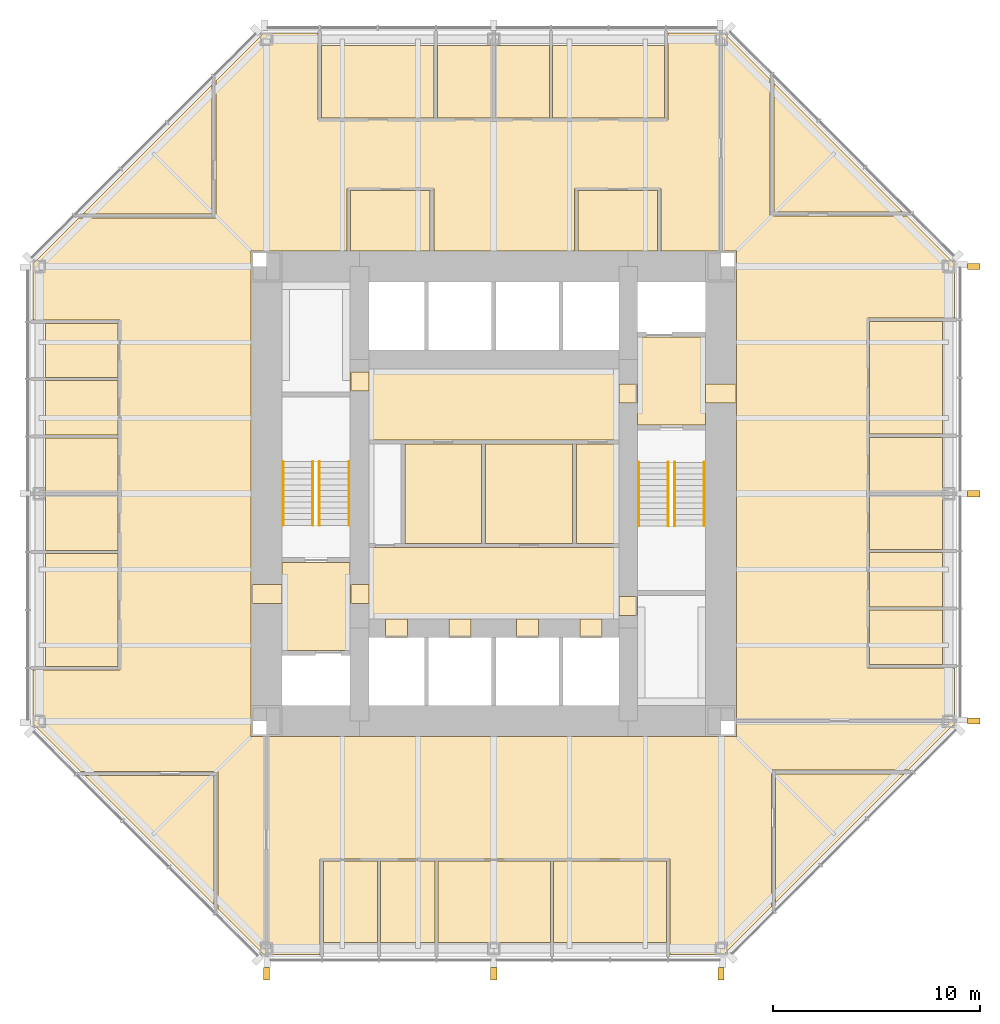
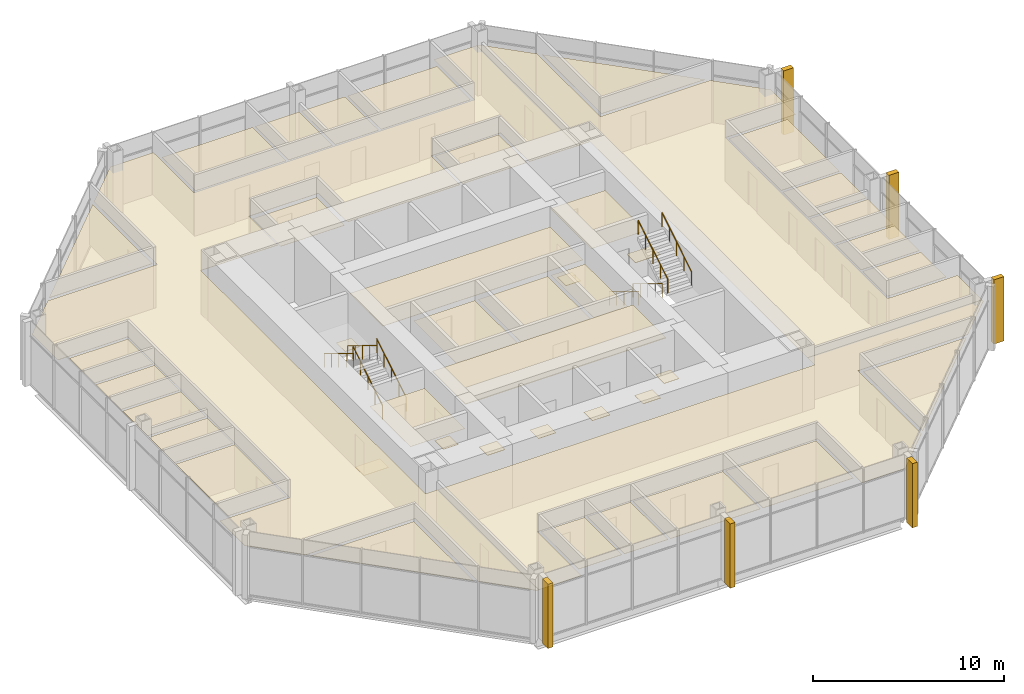
# One storey, part 12 of 12: 50 coverings, 8 railings.
"""IFC4 building model written with IfcOpenShell, lengths in metres."""

import ifcopenshell
import ifcopenshell.guid

model = None  # the IFC model being written
_history = None  # IfcOwnerHistory: only IFC2X3 demands one
_inside = {}  # id of a spatial element -> (the spatial element, [elements in it])
_under = {}  # id of a project, library or spatial element -> (it, [spatial elements below it])
_declared = {}  # id of a project -> (the project, [libraries it declares])
_typed = {}  # id of a type object -> (the type object, [elements of that type])
_made_of = {}  # id of a material, layer set ... -> (it, [elements and type objects made of it])


def new_model(schema):
    """Start an empty IFC model of exactly this schema.

    Asked for "IFC4X3", IfcOpenShell would pick the latest addendum, in which some entities
    have other attributes; the version numbers below select the first issue.
    IFC2X3 requires an IfcOwnerHistory on every rooted entity: one is made here for all.
    """
    global model, _history
    if schema == "IFC4X3":
        model = ifcopenshell.file(schema_version=(4, 3, 0, 0))
    else:
        model = ifcopenshell.file(schema=schema)
    _inside.clear()
    _under.clear()
    _declared.clear()
    _typed.clear()
    _made_of.clear()
    _history = None
    if model.schema == "IFC2X3":
        org = make("IfcOrganization", Name="unknown")
        user = make(
            "IfcPersonAndOrganization",
            ThePerson=make("IfcPerson", FamilyName="unknown"),
            TheOrganization=org,
        )
        app = make(
            "IfcApplication",
            ApplicationDeveloper=org,
            Version="unknown",
            ApplicationFullName="unknown",
            ApplicationIdentifier="unknown",
        )
        _history = make(
            "IfcOwnerHistory",
            OwningUser=user,
            OwningApplication=app,
            ChangeAction="ADDED",
            CreationDate=0,
        )
    return model


def make(cls, **values):
    """One entity of the class cls with the attributes given. An attribute that is None is left unset."""
    return model.create_entity(
        cls, **{name: value for name, value in values.items() if value is not None}
    )


def rooted(cls, **values):
    """An entity with a GlobalId (a new one), such as an element, a storey or a relation."""
    return make(cls, GlobalId=ifcopenshell.guid.new(), OwnerHistory=_history, **values)


def si_unit(unit_type, name, prefix=None):
    """IfcSIUnit, for example si_unit("LENGTHUNIT", "METRE", prefix="MILLI")."""
    return make("IfcSIUnit", UnitType=unit_type, Prefix=prefix, Name=name)


def assignment(units):
    """IfcUnitAssignment: the units of a project."""
    return None if units is None else make("IfcUnitAssignment", Units=units)


def point(xyz):
    """IfcCartesianPoint."""
    return None if xyz is None else make("IfcCartesianPoint", Coordinates=xyz)


def direction(xyz):
    """IfcDirection."""
    return None if xyz is None else make("IfcDirection", DirectionRatios=xyz)


def frame(location, z_axis=None, x_axis=None):
    """IfcAxis2Placement3D, a coordinate frame: its origin and axes. An axis left out is left unset."""
    return make(
        "IfcAxis2Placement3D",
        Location=point(location),
        Axis=direction(z_axis),
        RefDirection=direction(x_axis),
    )


def frame_2d(location, x_axis=None):
    """IfcAxis2Placement2D, a coordinate frame in the plane: its origin and x axis."""
    return make(
        "IfcAxis2Placement2D", Location=point(location), RefDirection=direction(x_axis)
    )


def origin():
    """The frame at (0, 0, 0) with its axes left unset."""
    return frame((0.0, 0.0, 0.0))


def origin_2d():
    """The frame at (0, 0) in the plane with its x axis left unset."""
    return frame_2d((0.0, 0.0))


def place(relative_to, where):
    """IfcLocalPlacement: puts the frame where relative to a parent placement (None: the world)."""
    return make(
        "IfcLocalPlacement", PlacementRelTo=relative_to, RelativePlacement=where
    )


def context(
    kind, dimensions, precision=None, world=None, true_north=None, identifier=None
):
    """IfcGeometricRepresentationContext, for example the 3D "Model" context."""
    return make(
        "IfcGeometricRepresentationContext",
        ContextIdentifier=identifier,
        ContextType=kind,
        CoordinateSpaceDimension=dimensions,
        Precision=precision,
        WorldCoordinateSystem=world,
        TrueNorth=true_north,
    )


def subcontext(parent, identifier, kind, view, scale=None):
    """IfcGeometricRepresentationSubContext, for example "Body" below "Model"."""
    return make(
        "IfcGeometricRepresentationSubContext",
        ContextIdentifier=identifier,
        ContextType=kind,
        ParentContext=parent,
        TargetScale=scale,
        TargetView=view,
    )


def project(units=None, contexts=None):
    """IfcProject with its units and contexts."""
    return rooted(
        "IfcProject",
        Name="project",
        RepresentationContexts=contexts,
        UnitsInContext=assignment(units),
    )


def spatial(cls, under=None, at=None, **own):
    """A site, building, storey or space (cls), placed at a placement, below another one or the project."""
    s = rooted(cls, ObjectPlacement=at, **own)
    if under is not None:
        _under.setdefault(under.id(), (under, []))[1].append(s)
    return s


def polyline(points):
    """IfcPolyline through the points."""
    return make("IfcPolyline", Points=[point(p) for p in points])


def profile(cls, at=None, kind="AREA", **sizes):
    """A parametric profile (cls). Its sizes go by their IFC names, for example OverallWidth=200.0."""
    return make(cls, ProfileType=kind, Position=at, **sizes)


def rectangle(**sizes):
    """IfcRectangleProfileDef."""
    return profile("IfcRectangleProfileDef", **sizes)


def circle(**sizes):
    """IfcCircleProfileDef."""
    return profile("IfcCircleProfileDef", **sizes)


def outline(outer, holes=None, kind="AREA"):
    """IfcArbitraryClosedProfileDef: a profile drawn as a closed curve; with holes, ...WithVoids."""
    if holes is None:
        return make("IfcArbitraryClosedProfileDef", ProfileType=kind, OuterCurve=outer)
    return make(
        "IfcArbitraryProfileDefWithVoids",
        ProfileType=kind,
        OuterCurve=outer,
        InnerCurves=holes,
    )


def extrude(swept, where, along, depth):
    """IfcExtrudedAreaSolid: the profile swept, set in the frame where, extruded along a direction by depth."""
    return make(
        "IfcExtrudedAreaSolid",
        SweptArea=swept,
        Position=where,
        ExtrudedDirection=direction(along),
        Depth=depth,
    )


def shape(context_of_items, identifier, shape_type, items):
    """IfcShapeRepresentation: the items that make up one representation, for example the "Body"."""
    return make(
        "IfcShapeRepresentation",
        ContextOfItems=context_of_items,
        RepresentationIdentifier=identifier,
        RepresentationType=shape_type,
        Items=items,
    )


def material(Name=None, Category=None):
    """IfcMaterial."""
    return make("IfcMaterial", Name=Name, Category=Category)


def layer(
    of_material, thickness, ventilated=None, Name=None, Category=None, Priority=None
):
    """IfcMaterialLayer: one layer of a wall or slab, of a material (None: an air gap)."""
    return make(
        "IfcMaterialLayer",
        Material=of_material,
        LayerThickness=thickness,
        IsVentilated=ventilated,
        Name=Name,
        Category=Category,
        Priority=Priority,
    )


def layer_set(layers, Name=None):
    """IfcMaterialLayerSet."""
    return make("IfcMaterialLayerSet", MaterialLayers=layers, LayerSetName=Name)


def made_of(thing, what):
    """Note that an element or type object is made of a material, layer set ...; save() writes the relation."""
    if what is not None:
        _made_of.setdefault(what.id(), (what, []))[1].append(thing)
    return thing


def type_object(cls, material=None, **own):
    """A type object (cls), such as IfcWallType, which elements share."""
    return made_of(rooted(cls, **own), material)


def element(
    cls,
    number,
    at=None,
    inside=None,
    cuts=None,
    type_object=None,
    material=None,
    context=None,
    identifier="Body",
    shape_type=None,
    held_by="IfcProductDefinitionShape",
    body=None,
    shapes=None,
    **own,
):
    """One element of the class cls, such as IfcWall. Its Tag is "e" and its number.

    at: its placement. inside: the storey or other place that contains it. cuts: it is an
    opening in that element (IfcRelVoidsElement). A single representation is given by context,
    identifier, shape_type and body (its items); several are given by shapes. held_by: the class
    of the entity that holds the representations. save() writes the other relations.
    """
    e = rooted(cls, Tag="e%d" % number, ObjectPlacement=at, **own)
    if body is not None:
        shapes = [shape(context, identifier, shape_type, body)]
    if shapes is not None:
        e.Representation = make(held_by, Representations=shapes)
    if inside is not None:
        _inside.setdefault(inside.id(), (inside, []))[1].append(e)
    if cuts is not None:
        rooted(
            "IfcRelVoidsElement", RelatingBuildingElement=cuts, RelatedOpeningElement=e
        )
    if type_object is not None:
        _typed.setdefault(type_object.id(), (type_object, []))[1].append(e)
    return made_of(e, material)


def aggregate(whole, parts):
    """IfcRelAggregates: a whole, such as a stair, and the parts it consists of."""
    return rooted("IfcRelAggregates", RelatingObject=whole, RelatedObjects=parts)


def save(model, path):
    """Write the relations noted so far, then the file.

    IfcRelAggregates (storeys below a building ...), IfcRelContainedInSpatialStructure (elements
    in a storey), IfcRelDefinesByType, IfcRelAssociatesMaterial and IfcRelDeclares: one each for
    every whole, place, type object, material and project.
    """
    for whole, parts in _under.values():
        aggregate(whole, parts)
    for where, things in _inside.values():
        rooted(
            "IfcRelContainedInSpatialStructure",
            RelatedElements=things,
            RelatingStructure=where,
        )
    for kind, things in _typed.values():
        rooted("IfcRelDefinesByType", RelatedObjects=things, RelatingType=kind)
    for what, things in _made_of.values():
        rooted("IfcRelAssociatesMaterial", RelatedObjects=things, RelatingMaterial=what)
    for by, libraries in _declared.values():
        rooted("IfcRelDeclares", RelatingContext=by, RelatedDefinitions=libraries)
    model.write(path)


model = new_model("IFC4")

# Units and contexts
model_context = context("Model", 3, precision=1e-05, world=origin(), true_north=direction((0.0, 1.0)))
body_context = subcontext(model_context, "Body", "Model", "MODEL_VIEW")
ifc_project = project(units=[si_unit("LENGTHUNIT", "METRE"), si_unit("AREAUNIT", "SQUARE_METRE"), si_unit("VOLUMEUNIT", "CUBIC_METRE"), si_unit("PLANEANGLEUNIT", "RADIAN"), si_unit("MASSUNIT", "GRAM", prefix="KILO")], contexts=[model_context])

# Site, building, storey
site_placement = place(None, origin())
site = spatial("IfcSite", under=ifc_project, at=site_placement, CompositionType="ELEMENT")
building_placement = place(site_placement, origin())
building = spatial("IfcBuilding", under=site, at=building_placement, Name="Trevanion Tower", CompositionType="ELEMENT")
storey_placement = place(building_placement, frame((0.0, 0.0, 170.5)))
storey = spatial("IfcBuildingStorey", under=building, at=storey_placement, Name="L40", CompositionType="ELEMENT", Elevation=170.5)

# Coverings
ifc_material_1 = material(Name="Fibrous plaster coffers on suspended steel grid", Category="steel")
ifc_layer_1 = layer(ifc_material_1, 0.050048828125)
ifc_layer_set_1 = layer_set([ifc_layer_1], Name="CL1 coffered fibrous plaster ceiling 50")
covering_type_1 = type_object("IfcCoveringType", Name="CL1 coffered fibrous plaster ceiling 50", PredefinedType="CEILING", material=ifc_layer_set_1)
covering_1_placement = place(storey_placement, frame((0.0, 0.0, 3.0)))
element("IfcCovering", 1, at=covering_1_placement, inside=storey, type_object=covering_type_1, Name="CL1 L40-LBS", PredefinedType="CEILING", context=body_context, shape_type="SweptSolid", body=[
    extrude(outline(polyline([(6.050048828125, -6.050048828125), (6.050048828125, -2.60009765625), (-6.050048828125, -2.60009765625), (-6.050048828125, -6.050048828125), (6.050048828125, -6.050048828125)])), origin(), (0.0, 0.0, 1.0), 0.050048828125),
])
ifc_material_2 = material(Name="Mineral fibre acoustic tiles in exposed grid", Category="mineral fibre")
ifc_layer_2 = layer(ifc_material_2, 0.02001953125)
ifc_layer_set_2 = layer_set([ifc_layer_2], Name="CL2 acoustic tile ceiling 20")
covering_type_2 = type_object("IfcCoveringType", Name="CL2 acoustic tile ceiling 20", PredefinedType="CEILING", material=ifc_layer_set_2)
covering_2_placement = place(storey_placement, frame((0.0, 0.0, 2.75)))
element("IfcCovering", 2, at=covering_2_placement, inside=storey, type_object=covering_type_2, Name="CL2 L40-LBN", PredefinedType="CEILING", context=body_context, shape_type="SweptSolid", body=[
    extrude(outline(polyline([(6.050048828125, 2.60009765625), (6.050048828125, 6.050048828125), (-6.050048828125, 6.050048828125), (-6.050048828125, 2.60009765625), (6.050048828125, 2.60009765625)])), origin(), (0.0, 0.0, 1.0), 0.02001953125),
])
covering_3_placement = place(storey_placement, frame((0.0, 0.0, 2.75)))
element("IfcCovering", 3, at=covering_3_placement, inside=storey, type_object=covering_type_2, Name="CL2 L40-OF", PredefinedType="CEILING", context=body_context, shape_type="SweptSolid", body=[
    extrude(outline(polyline([(13.549072265625, 19.875244140625), (19.783203125, 13.64111328125), (13.549072265625, 13.64111328125), (13.549072265625, 19.875244140625)])), origin(), (0.0, 0.0, 1.0), 0.02001953125),
])
covering_4_placement = place(storey_placement, frame((0.0, 0.0, 2.75)))
element("IfcCovering", 4, at=covering_4_placement, inside=storey, type_object=covering_type_2, Name="CL2 L40-MR", PredefinedType="CEILING", context=body_context, shape_type="SweptSolid", body=[
    extrude(outline(polyline([(-19.875244140625, 13.549072265625), (-13.64111328125, 19.783203125), (-13.64111328125, 13.549072265625), (-19.875244140625, 13.549072265625)])), origin(), (0.0, 0.0, 1.0), 0.02001953125),
])
covering_5_placement = place(storey_placement, frame((0.0, 0.0, 2.75)))
element("IfcCovering", 5, at=covering_5_placement, inside=storey, type_object=covering_type_2, Name="CL2 L40-OF2", PredefinedType="CEILING", context=body_context, shape_type="SweptSolid", body=[
    extrude(outline(polyline([(-13.549072265625, -19.875244140625), (-19.783203125, -13.64111328125), (-13.549072265625, -13.64111328125), (-13.549072265625, -19.875244140625)])), origin(), (0.0, 0.0, 1.0), 0.02001953125),
])
covering_6_placement = place(storey_placement, frame((0.0, 0.0, 2.75)))
element("IfcCovering", 6, at=covering_6_placement, inside=storey, type_object=covering_type_2, Name="CL2 L40-MR2", PredefinedType="CEILING", context=body_context, shape_type="SweptSolid", body=[
    extrude(outline(polyline([(19.875244140625, -13.549072265625), (13.64111328125, -19.783203125), (13.64111328125, -13.549072265625), (19.875244140625, -13.549072265625)])), origin(), (0.0, 0.0, 1.0), 0.02001953125),
])
covering_7_placement = place(storey_placement, frame((0.0, 0.0, 2.75)))
element("IfcCovering", 7, at=covering_7_placement, inside=storey, type_object=covering_type_2, Name="CL2 L40-OF3", PredefinedType="CEILING", context=body_context, shape_type="SweptSolid", body=[
    extrude(outline(polyline([(18.175048828125, -8.248046875), (18.175048828125, -5.6240234375), (21.699951171875, -5.6240234375), (21.699951171875, -8.248046875), (18.175048828125, -8.248046875)])), origin(), (0.0, 0.0, 1.0), 0.02001953125),
])
covering_8_placement = place(storey_placement, frame((0.0, 0.0, 2.75)))
element("IfcCovering", 8, at=covering_8_placement, inside=storey, type_object=covering_type_2, Name="CL2 L40-OF4", PredefinedType="CEILING", context=body_context, shape_type="SweptSolid", body=[
    extrude(outline(polyline([(18.175048828125, -5.47412109375), (18.175048828125, -2.85009765625), (21.699951171875, -2.85009765625), (21.699951171875, -5.47412109375), (18.175048828125, -5.47412109375)])), origin(), (0.0, 0.0, 1.0), 0.02001953125),
])
covering_9_placement = place(storey_placement, frame((0.0, 0.0, 2.75)))
element("IfcCovering", 9, at=covering_9_placement, inside=storey, type_object=covering_type_2, Name="CL2 L40-OF5", PredefinedType="CEILING", context=body_context, shape_type="SweptSolid", body=[
    extrude(outline(polyline([(18.175048828125, -2.699951171875), (18.175048828125, -0.074951171875), (21.699951171875, -0.074951171875), (21.699951171875, -2.699951171875), (18.175048828125, -2.699951171875)])), origin(), (0.0, 0.0, 1.0), 0.02001953125),
])
covering_10_placement = place(storey_placement, frame((0.0, 0.0, 2.75)))
element("IfcCovering", 10, at=covering_10_placement, inside=storey, type_object=covering_type_2, Name="CL2 L40-OF6", PredefinedType="CEILING", context=body_context, shape_type="SweptSolid", body=[
    extrude(outline(polyline([(18.175048828125, 0.074951171875), (18.175048828125, 2.73193359375), (21.699951171875, 2.73193359375), (21.699951171875, 0.074951171875), (18.175048828125, 0.074951171875)])), origin(), (0.0, 0.0, 1.0), 0.02001953125),
])
covering_11_placement = place(storey_placement, frame((0.0, 0.0, 2.75)))
element("IfcCovering", 11, at=covering_11_placement, inside=storey, type_object=covering_type_2, Name="CL2 L40-MR3", PredefinedType="CEILING", context=body_context, shape_type="SweptSolid", body=[
    extrude(outline(polyline([(18.175048828125, 2.882080078125), (18.175048828125, 8.345947265625), (21.699951171875, 8.345947265625), (21.699951171875, 2.882080078125), (18.175048828125, 2.882080078125)])), origin(), (0.0, 0.0, 1.0), 0.02001953125),
])
covering_12_placement = place(storey_placement, frame((0.0, 0.0, 2.75)))
element("IfcCovering", 12, at=covering_12_placement, inside=storey, type_object=covering_type_2, Name="CL2 L40-MR4", PredefinedType="CEILING", context=body_context, shape_type="SweptSolid", body=[
    extrude(outline(polyline([(8.248046875, 18.175048828125), (2.85009765625, 18.175048828125), (2.85009765625, 21.699951171875), (8.248046875, 21.699951171875), (8.248046875, 18.175048828125)])), origin(), (0.0, 0.0, 1.0), 0.02001953125),
])
covering_13_placement = place(storey_placement, frame((0.0, 0.0, 2.75)))
element("IfcCovering", 13, at=covering_13_placement, inside=storey, type_object=covering_type_2, Name="CL2 L40-OF7", PredefinedType="CEILING", context=body_context, shape_type="SweptSolid", body=[
    extrude(outline(polyline([(2.699951171875, 18.175048828125), (0.074951171875, 18.175048828125), (0.074951171875, 21.699951171875), (2.699951171875, 21.699951171875), (2.699951171875, 18.175048828125)])), origin(), (0.0, 0.0, 1.0), 0.02001953125),
])
covering_14_placement = place(storey_placement, frame((0.0, 0.0, 2.75)))
element("IfcCovering", 14, at=covering_14_placement, inside=storey, type_object=covering_type_2, Name="CL2 L40-OF8", PredefinedType="CEILING", context=body_context, shape_type="SweptSolid", body=[
    extrude(outline(polyline([(-0.074951171875, 18.175048828125), (-2.73193359375, 18.175048828125), (-2.73193359375, 21.699951171875), (-0.074951171875, 21.699951171875), (-0.074951171875, 18.175048828125)])), origin(), (0.0, 0.0, 1.0), 0.02001953125),
])
covering_15_placement = place(storey_placement, frame((0.0, 0.0, 2.75)))
element("IfcCovering", 15, at=covering_15_placement, inside=storey, type_object=covering_type_2, Name="CL2 L40-MR5", PredefinedType="CEILING", context=body_context, shape_type="SweptSolid", body=[
    extrude(outline(polyline([(-2.882080078125, 18.175048828125), (-8.345947265625, 18.175048828125), (-8.345947265625, 21.699951171875), (-2.882080078125, 21.699951171875), (-2.882080078125, 18.175048828125)])), origin(), (0.0, 0.0, 1.0), 0.02001953125),
])
covering_16_placement = place(storey_placement, frame((0.0, 0.0, 2.75)))
element("IfcCovering", 16, at=covering_16_placement, inside=storey, type_object=covering_type_2, Name="CL2 L40-OF9", PredefinedType="CEILING", context=body_context, shape_type="SweptSolid", body=[
    extrude(outline(polyline([(-18.175048828125, 8.248046875), (-18.175048828125, 5.6240234375), (-21.699951171875, 5.6240234375), (-21.699951171875, 8.248046875), (-18.175048828125, 8.248046875)])), origin(), (0.0, 0.0, 1.0), 0.02001953125),
])
covering_17_placement = place(storey_placement, frame((0.0, 0.0, 2.75)))
element("IfcCovering", 17, at=covering_17_placement, inside=storey, type_object=covering_type_2, Name="CL2 L40-OF10", PredefinedType="CEILING", context=body_context, shape_type="SweptSolid", body=[
    extrude(outline(polyline([(-18.175048828125, 5.47412109375), (-18.175048828125, 2.85009765625), (-21.699951171875, 2.85009765625), (-21.699951171875, 5.47412109375), (-18.175048828125, 5.47412109375)])), origin(), (0.0, 0.0, 1.0), 0.02001953125),
])
covering_18_placement = place(storey_placement, frame((0.0, 0.0, 2.75)))
element("IfcCovering", 18, at=covering_18_placement, inside=storey, type_object=covering_type_2, Name="CL2 L40-OF11", PredefinedType="CEILING", context=body_context, shape_type="SweptSolid", body=[
    extrude(outline(polyline([(-18.175048828125, 2.699951171875), (-18.175048828125, 0.074951171875), (-21.699951171875, 0.074951171875), (-21.699951171875, 2.699951171875), (-18.175048828125, 2.699951171875)])), origin(), (0.0, 0.0, 1.0), 0.02001953125),
])
covering_19_placement = place(storey_placement, frame((0.0, 0.0, 2.75)))
element("IfcCovering", 19, at=covering_19_placement, inside=storey, type_object=covering_type_2, Name="CL2 L40-OF12", PredefinedType="CEILING", context=body_context, shape_type="SweptSolid", body=[
    extrude(outline(polyline([(-18.175048828125, -0.074951171875), (-18.175048828125, -2.73193359375), (-21.699951171875, -2.73193359375), (-21.699951171875, -0.074951171875), (-18.175048828125, -0.074951171875)])), origin(), (0.0, 0.0, 1.0), 0.02001953125),
])
covering_20_placement = place(storey_placement, frame((0.0, 0.0, 2.75)))
element("IfcCovering", 20, at=covering_20_placement, inside=storey, type_object=covering_type_2, Name="CL2 L40-MR6", PredefinedType="CEILING", context=body_context, shape_type="SweptSolid", body=[
    extrude(outline(polyline([(-18.175048828125, -2.882080078125), (-18.175048828125, -8.345947265625), (-21.699951171875, -8.345947265625), (-21.699951171875, -2.882080078125), (-18.175048828125, -2.882080078125)])), origin(), (0.0, 0.0, 1.0), 0.02001953125),
])
covering_21_placement = place(storey_placement, frame((0.0, 0.0, 2.75)))
element("IfcCovering", 21, at=covering_21_placement, inside=storey, type_object=covering_type_2, Name="CL2 L40-OF13", PredefinedType="CEILING", context=body_context, shape_type="SweptSolid", body=[
    extrude(outline(polyline([(-8.248046875, -17.77490234375), (-5.6240234375, -17.77490234375), (-5.6240234375, -21.699951171875), (-8.248046875, -21.699951171875), (-8.248046875, -17.77490234375)])), origin(), (0.0, 0.0, 1.0), 0.02001953125),
])
covering_22_placement = place(storey_placement, frame((0.0, 0.0, 2.75)))
element("IfcCovering", 22, at=covering_22_placement, inside=storey, type_object=covering_type_2, Name="CL2 L40-OF14", PredefinedType="CEILING", context=body_context, shape_type="SweptSolid", body=[
    extrude(outline(polyline([(-5.47412109375, -17.77490234375), (-2.85009765625, -17.77490234375), (-2.85009765625, -21.699951171875), (-5.47412109375, -21.699951171875), (-5.47412109375, -17.77490234375)])), origin(), (0.0, 0.0, 1.0), 0.02001953125),
])
covering_23_placement = place(storey_placement, frame((0.0, 0.0, 2.75)))
element("IfcCovering", 23, at=covering_23_placement, inside=storey, type_object=covering_type_2, Name="CL2 L40-MR7", PredefinedType="CEILING", context=body_context, shape_type="SweptSolid", body=[
    extrude(outline(polyline([(-2.699951171875, -17.77490234375), (2.73193359375, -17.77490234375), (2.73193359375, -21.699951171875), (-2.699951171875, -21.699951171875), (-2.699951171875, -17.77490234375)])), origin(), (0.0, 0.0, 1.0), 0.02001953125),
])
covering_24_placement = place(storey_placement, frame((0.0, 0.0, 2.75)))
element("IfcCovering", 24, at=covering_24_placement, inside=storey, type_object=covering_type_2, Name="CL2 L40-MR8", PredefinedType="CEILING", context=body_context, shape_type="SweptSolid", body=[
    extrude(outline(polyline([(2.882080078125, -17.77490234375), (8.345947265625, -17.77490234375), (8.345947265625, -21.699951171875), (2.882080078125, -21.699951171875), (2.882080078125, -17.77490234375)])), origin(), (0.0, 0.0, 1.0), 0.02001953125),
])
covering_25_placement = place(storey_placement, frame((0.0, 0.0, 2.75)))
element("IfcCovering", 25, at=covering_25_placement, inside=storey, type_object=covering_type_2, Name="CL2 L40-RC", PredefinedType="CEILING", context=body_context, shape_type="SweptSolid", body=[
    extrude(outline(polyline([(4.074951171875, 14.675048828125), (7.925048828125, 14.675048828125), (7.925048828125, 11.75), (4.074951171875, 11.75), (4.074951171875, 14.675048828125)])), origin(), (0.0, 0.0, 1.0), 0.02001953125),
])
covering_26_placement = place(storey_placement, frame((0.0, 0.0, 2.75)))
element("IfcCovering", 26, at=covering_26_placement, inside=storey, type_object=covering_type_2, Name="CL2 L40-OP", PredefinedType="CEILING", context=body_context, shape_type="SweptSolid", body=[
    extrude(outline(polyline([(11.75, 11.75), (11.0, 11.75), (11.0, 22.300048828125), (11.124267578125, 22.300048828125), (13.35400390625, 20.0703125), (13.35400390625, 13.446044921875), (19.978271484375, 13.446044921875), (22.300048828125, 11.124267578125), (22.300048828125, 8.51611328125), (18.080078125, 8.51611328125), (18.080078125, -8.41796875), (22.300048828125, -8.41796875), (22.300048828125, -11.0), (11.75, -11.0), (11.75, 11.75)])), origin(), (0.0, 0.0, 1.0), 0.02001953125),
])
covering_27_placement = place(storey_placement, frame((0.0, 0.0, 2.75)))
element("IfcCovering", 27, at=covering_27_placement, inside=storey, type_object=covering_type_2, Name="CL2 L40-OP2", PredefinedType="CEILING", context=body_context, shape_type="SweptSolid", body=[
    extrude(outline(polyline([(-11.0, -11.75), (-11.0, -22.300048828125), (-11.124267578125, -22.300048828125), (-13.35400390625, -20.0703125), (-13.35400390625, -13.446044921875), (-19.978271484375, -13.446044921875), (-22.300048828125, -11.124267578125), (-22.300048828125, -8.51611328125), (-18.080078125, -8.51611328125), (-18.080078125, 8.41796875), (-22.300048828125, 8.41796875), (-22.300048828125, 11.124267578125), (-20.0703125, 13.35400390625), (-13.446044921875, 13.35400390625), (-13.446044921875, 19.978271484375), (-11.124267578125, 22.300048828125), (-8.51611328125, 22.300048828125), (-8.51611328125, 18.080078125), (8.41796875, 18.080078125), (8.41796875, 22.300048828125), (11.0, 22.300048828125), (11.0, 11.75), (8.094970703125, 11.75), (8.094970703125, 14.77001953125), (3.905029296875, 14.77001953125), (3.905029296875, 11.75), (-2.905029296875, 11.75), (-2.905029296875, 14.77001953125), (-7.094970703125, 14.77001953125), (-7.094970703125, 11.75), (-11.75, 11.75), (-11.75, -11.75), (-11.0, -11.75)])), origin(), (0.0, 0.0, 1.0), 0.02001953125),
])
covering_28_placement = place(storey_placement, frame((0.0, 0.0, 2.75)))
element("IfcCovering", 28, at=covering_28_placement, inside=storey, type_object=covering_type_2, Name="CL2 L40-OP3", PredefinedType="CEILING", context=body_context, shape_type="SweptSolid", body=[
    extrude(outline(polyline([(11.75, -11.75), (11.75, -11.0), (22.300048828125, -11.0), (22.300048828125, -11.124267578125), (20.0703125, -13.35400390625), (13.446044921875, -13.35400390625), (13.446044921875, -19.978271484375), (11.124267578125, -22.300048828125), (8.51611328125, -22.300048828125), (8.51611328125, -17.679931640625), (-8.41796875, -17.679931640625), (-8.41796875, -22.300048828125), (-11.0, -22.300048828125), (-11.0, -11.75), (11.75, -11.75)])), origin(), (0.0, 0.0, 1.0), 0.02001953125),
])
ifc_material_3 = material(Name="Gypsum plasterboard on suspended metal furring", Category="gypsum")
ifc_layer_3 = layer(ifc_material_3, 0.012939453125)
ifc_layer_set_3 = layer_set([ifc_layer_3], Name="CL3 plasterboard ceiling 13")
covering_type_3 = type_object("IfcCoveringType", Name="CL3 plasterboard ceiling 13", PredefinedType="CEILING", material=ifc_layer_set_3)
covering_29_placement = place(storey_placement, frame((0.0, 0.0, 2.699951171875)))
element("IfcCovering", 29, at=covering_29_placement, inside=storey, type_object=covering_type_3, Name="CL3 L40-FV1", PredefinedType="CEILING", context=body_context, shape_type="SweptSolid", body=[
    extrude(outline(polyline([(10.25, 3.324951171875), (10.25, 7.574951171875), (6.949951171875, 7.574951171875), (6.949951171875, 3.324951171875), (10.25, 3.324951171875)])), origin(), (0.0, 0.0, 1.0), 0.012939453125),
])
covering_30_placement = place(storey_placement, frame((0.0, 0.0, 2.699951171875)))
element("IfcCovering", 30, at=covering_30_placement, inside=storey, type_object=covering_type_3, Name="CL3 L40-FV2", PredefinedType="CEILING", context=body_context, shape_type="SweptSolid", body=[
    extrude(outline(polyline([(-10.25, -3.324951171875), (-10.25, -7.574951171875), (-6.949951171875, -7.574951171875), (-6.949951171875, -3.324951171875), (-10.25, -3.324951171875)])), origin(), (0.0, 0.0, 1.0), 0.012939453125),
])
ifc_material_4 = material(Name="Moisture-resistant gypsum board on suspended metal furring", Category="gypsum")
ifc_layer_4 = layer(ifc_material_4, 0.01611328125)
ifc_layer_set_4 = layer_set([ifc_layer_4], Name="CL4 moisture-resistant board ceiling 16")
covering_type_4 = type_object("IfcCoveringType", Name="CL4 moisture-resistant board ceiling 16", PredefinedType="CEILING", material=ifc_layer_set_4)
covering_31_placement = place(storey_placement, frame((0.0, 0.0, 2.60009765625)))
element("IfcCovering", 31, at=covering_31_placement, inside=storey, type_object=covering_type_4, Name="CL4 L40-WCM", PredefinedType="CEILING", context=body_context, shape_type="SweptSolid", body=[
    extrude(outline(polyline([(-0.60009765625, -2.39990234375), (-0.60009765625, 2.39990234375), (-4.300048828125, 2.39990234375), (-4.300048828125, -2.39990234375), (-0.60009765625, -2.39990234375)])), origin(), (0.0, 0.0, 1.0), 0.015869140625),
])
covering_32_placement = place(storey_placement, frame((0.0, 0.0, 2.60009765625)))
element("IfcCovering", 32, at=covering_32_placement, inside=storey, type_object=covering_type_4, Name="CL4 L40-WCF", PredefinedType="CEILING", context=body_context, shape_type="SweptSolid", body=[
    extrude(outline(polyline([(3.800048828125, -2.39990234375), (3.800048828125, 2.39990234375), (-0.39990234375, 2.39990234375), (-0.39990234375, -2.39990234375), (3.800048828125, -2.39990234375)])), origin(), (0.0, 0.0, 1.0), 0.015869140625),
])
covering_33_placement = place(storey_placement, frame((0.0, 0.0, 2.60009765625)))
element("IfcCovering", 33, at=covering_33_placement, inside=storey, type_object=covering_type_4, Name="CL4 L40-WCA", PredefinedType="CEILING", context=body_context, shape_type="SweptSolid", body=[
    extrude(outline(polyline([(6.050048828125, -2.39990234375), (6.050048828125, 2.39990234375), (4.0, 2.39990234375), (4.0, -2.39990234375), (6.050048828125, -2.39990234375)])), origin(), (0.0, 0.0, 1.0), 0.015869140625),
])
covering_34_placement = place(storey_placement, frame((0.0, 0.0, 2.60009765625)))
element("IfcCovering", 34, at=covering_34_placement, inside=storey, type_object=covering_type_4, Name="CL4 L40-PA", PredefinedType="CEILING", context=body_context, shape_type="SweptSolid", body=[
    extrude(outline(polyline([(-6.925048828125, 14.675048828125), (-3.074951171875, 14.675048828125), (-3.074951171875, 11.75), (-6.925048828125, 11.75), (-6.925048828125, 14.675048828125)])), origin(), (0.0, 0.0, 1.0), 0.015869140625),
])
ifc_material_5 = material(Name="Cast bronze fin on aluminium carrier", Category="aluminium")
covering_type_5 = type_object("IfcCoveringType", Name="F1 bronze fin", PredefinedType="CLADDING", material=ifc_material_5)
for number, where, z_axis, x_axis, name in (
    (35, (23.22509765625, -11.0, -0.18994140625), (0.0, 0.0, 1.0), (0.0, 1.0, 0.0), "F1 L40 east -11.0"),
    (36, (23.22509765625, 0.0, -0.18994140625), (0.0, 0.0, 1.0), (0.0, 1.0, 0.0), "F1 L40 east +0.0"),
    (37, (23.22509765625, 11.0, -0.18994140625), (0.0, 0.0, 1.0), (0.0, 1.0, 0.0), "F1 L40 east +11.0"),
    (38, (-11.0, -23.22509765625, -0.18994140625), (0.0, 0.0, 1.0), (1.0, 0.0, 0.0), "F1 L40 south -11.0"),
    (39, (0.0, -23.22509765625, -0.18994140625), (0.0, 0.0, 1.0), (1.0, 0.0, 0.0), "F1 L40 south +0.0"),
    (40, (11.0, -23.22509765625, -0.18994140625), (0.0, 0.0, 1.0), (1.0, 0.0, 0.0), "F1 L40 south +11.0"),
):
    element("IfcCovering", number, at=place(storey_placement, frame(where, z_axis=z_axis, x_axis=x_axis)), inside=storey, type_object=covering_type_5, Name=name, PredefinedType="CLADDING", context=body_context, shape_type="SweptSolid", body=[
        extrude(rectangle(XDim=0.300048828125, YDim=0.60009765625, at=origin_2d()), origin(), (0.0, 0.0, 1.0), 4.10009765625),
    ])
ifc_material_6 = material(Name="Terrazzo, brass divider strips", Category="stone")
ifc_layer_5 = layer(ifc_material_6, 0.02001953125)
ifc_layer_set_5 = layer_set([ifc_layer_5], Name="FF1 terrazzo flooring")
covering_type_6 = type_object("IfcCoveringType", Name="FF1 terrazzo flooring", PredefinedType="FLOORING", material=ifc_layer_set_5)
covering_35_placement = place(storey_placement, origin())
element("IfcCovering", 41, at=covering_35_placement, inside=storey, type_object=covering_type_6, Name="FF1 threshold 40-001", PredefinedType="FLOORING", context=body_context, shape_type="SweptSolid", body=[
    extrude(outline(polyline([(11.75, 4.392578125), (11.75, 5.3076171875), (10.25, 5.3076171875), (10.25, 4.392578125), (11.75, 4.392578125)])), origin(), (0.0, 0.0, 1.0), 0.02001953125),
])
covering_36_placement = place(storey_placement, origin())
element("IfcCovering", 42, at=covering_36_placement, inside=storey, type_object=covering_type_6, Name="FF1 threshold 40-002", PredefinedType="FLOORING", context=body_context, shape_type="SweptSolid", body=[
    extrude(outline(polyline([(-11.75, -4.392578125), (-11.75, -5.3076171875), (-10.25, -5.3076171875), (-10.25, -4.392578125), (-11.75, -4.392578125)])), origin(), (0.0, 0.0, 1.0), 0.02001953125),
])
covering_37_placement = place(storey_placement, origin())
element("IfcCovering", 43, at=covering_37_placement, inside=storey, type_object=covering_type_6, Name="FF1 threshold 40-003", PredefinedType="FLOORING", context=body_context, shape_type="SweptSolid", body=[
    extrude(outline(polyline([(6.949951171875, 4.392578125), (6.949951171875, 5.3076171875), (6.050048828125, 5.3076171875), (6.050048828125, 4.392578125), (6.949951171875, 4.392578125)])), origin(), (0.0, 0.0, 1.0), 0.02001953125),
])
covering_38_placement = place(storey_placement, origin())
element("IfcCovering", 44, at=covering_38_placement, inside=storey, type_object=covering_type_6, Name="FF1 threshold 40-004", PredefinedType="FLOORING", context=body_context, shape_type="SweptSolid", body=[
    extrude(outline(polyline([(-6.949951171875, -4.392578125), (-6.949951171875, -5.3076171875), (-6.050048828125, -5.3076171875), (-6.050048828125, -4.392578125), (-6.949951171875, -4.392578125)])), origin(), (0.0, 0.0, 1.0), 0.02001953125),
])
covering_39_placement = place(storey_placement, origin())
element("IfcCovering", 45, at=covering_39_placement, inside=storey, type_object=covering_type_6, Name="FF1 threshold 40-009", PredefinedType="FLOORING", context=body_context, shape_type="SweptSolid", body=[
    extrude(outline(polyline([(6.949951171875, -5.889892578125), (6.949951171875, -4.97509765625), (6.050048828125, -4.97509765625), (6.050048828125, -5.889892578125), (6.949951171875, -5.889892578125)])), origin(), (0.0, 0.0, 1.0), 0.02001953125),
])
covering_40_placement = place(storey_placement, origin())
element("IfcCovering", 46, at=covering_40_placement, inside=storey, type_object=covering_type_6, Name="FF1 threshold 40-010", PredefinedType="FLOORING", context=body_context, shape_type="SweptSolid", body=[
    extrude(outline(polyline([(-6.949951171875, 5.889892578125), (-6.949951171875, 4.97509765625), (-6.050048828125, 4.97509765625), (-6.050048828125, 5.889892578125), (-6.949951171875, 5.889892578125)])), origin(), (0.0, 0.0, 1.0), 0.02001953125),
])
covering_41_placement = place(storey_placement, origin())
element("IfcCovering", 47, at=covering_41_placement, inside=storey, type_object=covering_type_6, Name="FF1 threshold 40-011", PredefinedType="FLOORING", context=body_context, shape_type="SweptSolid", body=[
    extrude(outline(polyline([(-5.2333984375, -6.949951171875), (-4.16650390625, -6.949951171875), (-4.16650390625, -6.050048828125), (-5.2333984375, -6.050048828125), (-5.2333984375, -6.949951171875)])), origin(), (0.0, 0.0, 1.0), 0.02001953125),
])
covering_42_placement = place(storey_placement, origin())
element("IfcCovering", 48, at=covering_42_placement, inside=storey, type_object=covering_type_6, Name="FF1 threshold 40-012", PredefinedType="FLOORING", context=body_context, shape_type="SweptSolid", body=[
    extrude(outline(polyline([(-2.158447265625, -6.949951171875), (-1.091552734375, -6.949951171875), (-1.091552734375, -6.050048828125), (-2.158447265625, -6.050048828125), (-2.158447265625, -6.949951171875)])), origin(), (0.0, 0.0, 1.0), 0.02001953125),
])
covering_43_placement = place(storey_placement, origin())
element("IfcCovering", 49, at=covering_43_placement, inside=storey, type_object=covering_type_6, Name="FF1 threshold 40-013", PredefinedType="FLOORING", context=body_context, shape_type="SweptSolid", body=[
    extrude(outline(polyline([(1.091552734375, -6.949951171875), (2.158447265625, -6.949951171875), (2.158447265625, -6.050048828125), (1.091552734375, -6.050048828125), (1.091552734375, -6.949951171875)])), origin(), (0.0, 0.0, 1.0), 0.02001953125),
])
covering_44_placement = place(storey_placement, origin())
element("IfcCovering", 50, at=covering_44_placement, inside=storey, type_object=covering_type_6, Name="FF1 threshold 40-014", PredefinedType="FLOORING", context=body_context, shape_type="SweptSolid", body=[
    extrude(outline(polyline([(4.16650390625, -6.949951171875), (5.2333984375, -6.949951171875), (5.2333984375, -6.050048828125), (4.16650390625, -6.050048828125), (4.16650390625, -6.949951171875)])), origin(), (0.0, 0.0, 1.0), 0.02001953125),
])

# Railings
ifc_material_7 = material(Name="Stainless steel tube 40 mm", Category="steel")
railing_type = type_object("IfcRailingType", Name="HR1 handrail", PredefinedType="HANDRAIL", material=ifc_material_7)
for number, where, name in (
    (51, (7.010009765625, 1.52490234375, 0.1708984375), "HR1 ST1 L40 flight 1"),
    (52, (8.43994140625, 1.52490234375, 0.1708984375), "HR1 ST1 L40 flight 1"),
):
    element("IfcRailing", number, at=place(storey_placement, frame(where)), inside=storey, type_object=railing_type, Name=name, PredefinedType="HANDRAIL", context=body_context, shape_type="SweptSolid", body=[
        extrude(circle(Radius=0.02001953125, at=origin_2d()), frame((0.0, 0.0, 0.8798828125), z_axis=(0.0, -0.853647949592, 0.520850437417), x_axis=(1.0, 0.0, 0.0)), (0.0, 0.0, 1.0), 3.60791015625),
        extrude(circle(Radius=0.01513671875, at=origin_2d()), origin(), (0.0, 0.0, 1.0), 0.85986328125),
        extrude(circle(Radius=0.01513671875, at=origin_2d()), frame((0.0, -0.77001953125, 0.4697265625)), (0.0, 0.0, 1.0), 0.85986328125),
        extrude(circle(Radius=0.01513671875, at=origin_2d()), frame((0.0, -1.5400390625, 0.939453125)), (0.0, 0.0, 1.0), 0.85986328125),
        extrude(circle(Radius=0.01513671875, at=origin_2d()), frame((0.0, -2.309814453125, 1.409423828125)), (0.0, 0.0, 1.0), 0.85986328125),
        extrude(circle(Radius=0.01513671875, at=origin_2d()), frame((0.0, -3.079833984375, 1.879150390625)), (0.0, 0.0, 1.0), 0.85986328125),
    ])
for number, where, name in (
    (53, (8.760009765625, -1.554931640625, 2.220703125), "HR1 ST1 L40 flight 2"),
    (54, (10.18994140625, -1.554931640625, 2.220703125), "HR1 ST1 L40 flight 2"),
):
    element("IfcRailing", number, at=place(storey_placement, frame(where)), inside=storey, type_object=railing_type, Name=name, PredefinedType="HANDRAIL", context=body_context, shape_type="SweptSolid", body=[
        extrude(circle(Radius=0.02001953125, at=origin_2d()), frame((0.0, 0.0, 0.8798828125), z_axis=(0.0, 0.853617861917, 0.520899746416), x_axis=(-1.0, 0.0, 0.0)), (0.0, 0.0, 1.0), 3.60791015625),
        extrude(circle(Radius=0.01513671875, at=origin_2d()), origin(), (0.0, 0.0, 1.0), 0.85986328125),
        extrude(circle(Radius=0.01513671875, at=origin_2d()), frame((0.0, 0.77001953125, 0.4697265625)), (0.0, 0.0, 1.0), 0.85986328125),
        extrude(circle(Radius=0.01513671875, at=origin_2d()), frame((0.0, 1.5400390625, 0.939697265625)), (0.0, 0.0, 1.0), 0.85986328125),
        extrude(circle(Radius=0.01513671875, at=origin_2d()), frame((0.0, 2.309814453125, 1.40966796875)), (0.0, 0.0, 1.0), 0.85986328125),
        extrude(circle(Radius=0.01513671875, at=origin_2d()), frame((0.0, 3.079833984375, 1.87939453125)), (0.0, 0.0, 1.0), 0.85986328125),
    ])
for number, where, name in (
    (55, (-7.010009765625, -1.52490234375, 0.1708984375), "HR1 ST2 L40 flight 1"),
    (56, (-8.43994140625, -1.52490234375, 0.1708984375), "HR1 ST2 L40 flight 1"),
):
    element("IfcRailing", number, at=place(storey_placement, frame(where)), inside=storey, type_object=railing_type, Name=name, PredefinedType="HANDRAIL", context=body_context, shape_type="SweptSolid", body=[
        extrude(circle(Radius=0.02001953125, at=origin_2d()), frame((0.0, 0.0, 0.8798828125), z_axis=(0.0, 0.853647949592, 0.520850437417), x_axis=(-1.0, 0.0, 0.0)), (0.0, 0.0, 1.0), 3.60791015625),
        extrude(circle(Radius=0.01513671875, at=origin_2d()), origin(), (0.0, 0.0, 1.0), 0.85986328125),
        extrude(circle(Radius=0.01513671875, at=origin_2d()), frame((0.0, 0.77001953125, 0.4697265625)), (0.0, 0.0, 1.0), 0.85986328125),
        extrude(circle(Radius=0.01513671875, at=origin_2d()), frame((0.0, 1.5400390625, 0.939453125)), (0.0, 0.0, 1.0), 0.85986328125),
        extrude(circle(Radius=0.01513671875, at=origin_2d()), frame((0.0, 2.309814453125, 1.409423828125)), (0.0, 0.0, 1.0), 0.85986328125),
        extrude(circle(Radius=0.01513671875, at=origin_2d()), frame((0.0, 3.079833984375, 1.879150390625)), (0.0, 0.0, 1.0), 0.85986328125),
    ])
for number, where, name in (
    (57, (-8.760009765625, 1.554931640625, 2.220703125), "HR1 ST2 L40 flight 2"),
    (58, (-10.18994140625, 1.554931640625, 2.220703125), "HR1 ST2 L40 flight 2"),
):
    element("IfcRailing", number, at=place(storey_placement, frame(where)), inside=storey, type_object=railing_type, Name=name, PredefinedType="HANDRAIL", context=body_context, shape_type="SweptSolid", body=[
        extrude(circle(Radius=0.02001953125, at=origin_2d()), frame((0.0, 0.0, 0.8798828125), z_axis=(0.0, -0.853617861917, 0.520899746416), x_axis=(1.0, 0.0, 0.0)), (0.0, 0.0, 1.0), 3.60791015625),
        extrude(circle(Radius=0.01513671875, at=origin_2d()), origin(), (0.0, 0.0, 1.0), 0.85986328125),
        extrude(circle(Radius=0.01513671875, at=origin_2d()), frame((0.0, -0.77001953125, 0.4697265625)), (0.0, 0.0, 1.0), 0.85986328125),
        extrude(circle(Radius=0.01513671875, at=origin_2d()), frame((0.0, -1.5400390625, 0.939697265625)), (0.0, 0.0, 1.0), 0.85986328125),
        extrude(circle(Radius=0.01513671875, at=origin_2d()), frame((0.0, -2.309814453125, 1.40966796875)), (0.0, 0.0, 1.0), 0.85986328125),
        extrude(circle(Radius=0.01513671875, at=origin_2d()), frame((0.0, -3.079833984375, 1.87939453125)), (0.0, 0.0, 1.0), 0.85986328125),
    ])

save(model, "model.ifc")
